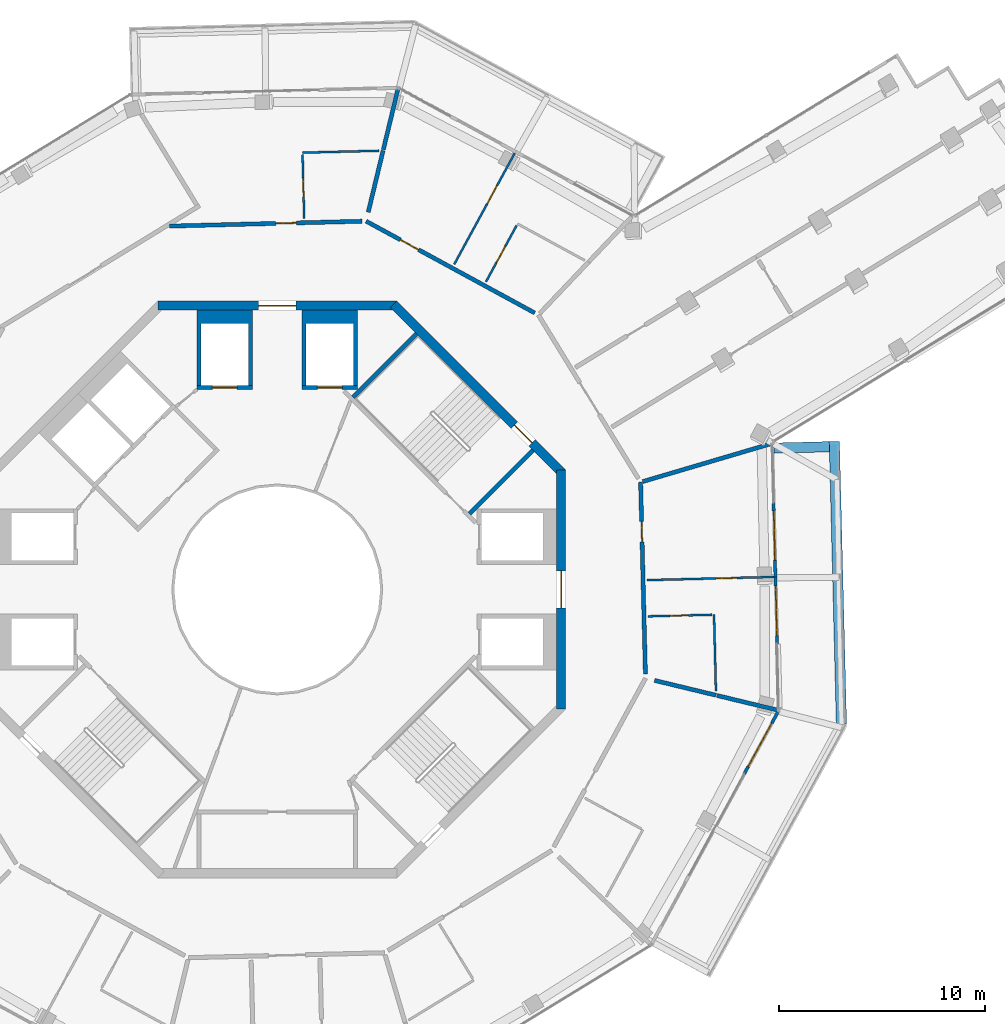
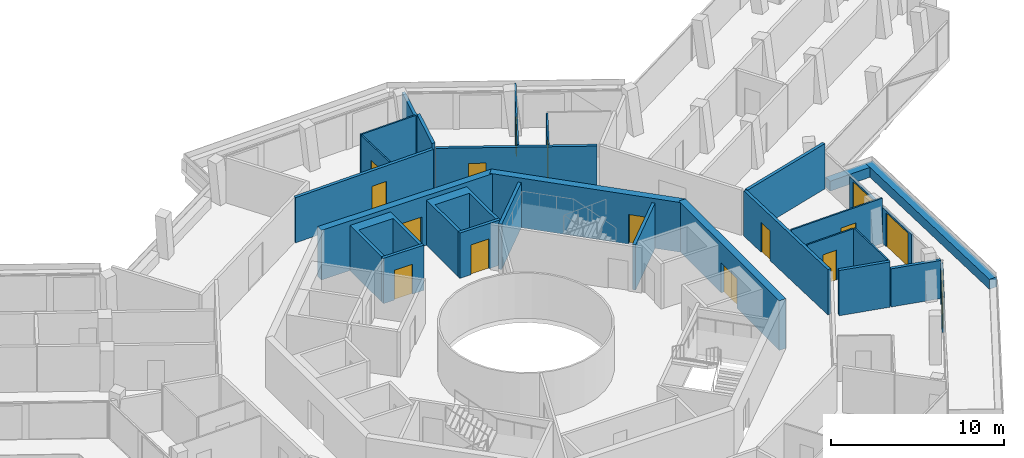
# One storey, part 22 of 26: 29 walls, 16 doors, 16 openings.
"""IFC4 building model written with IfcOpenShell, lengths in metres."""

from ifc_helpers import new_model, si_unit, direction, frame, frame_2d, origin, place, context, subcontext, project, spatial, polyline, rectangle, outline, extrude, material, layer, layer_set, type_object, element, fill, save


model = new_model("IFC4")

# Units and contexts
model_context = context("Model", 3, precision=1e-05, world=origin(), true_north=direction((0.0, 1.0)))
body_context = subcontext(model_context, "Body", "Model", "MODEL_VIEW")
ifc_project = project(units=[si_unit("LENGTHUNIT", "METRE"), si_unit("AREAUNIT", "SQUARE_METRE"), si_unit("VOLUMEUNIT", "CUBIC_METRE"), si_unit("PLANEANGLEUNIT", "RADIAN"), si_unit("MASSUNIT", "GRAM", prefix="KILO")], contexts=[model_context])

# Site, building, storey
site_placement = place(None, origin())
site = spatial("IfcSite", under=ifc_project, at=site_placement, CompositionType="ELEMENT")
building_placement = place(site_placement, origin())
building = spatial("IfcBuilding", under=site, at=building_placement, Name="Verdalira Terraces Hotel", CompositionType="ELEMENT")
storey_placement = place(building_placement, frame((0.0, 0.0, 284.5)))
storey = spatial("IfcBuildingStorey", under=building, at=storey_placement, Name="L70", CompositionType="ELEMENT", Elevation=284.5)

# Walls
ifc_material_1 = material(Name="Concrete C40", Category="concrete")
ifc_layer_1 = layer(ifc_material_1, 0.5)
ifc_layer_set_1 = layer_set([ifc_layer_1], Name="Balcony planter trough with tree")
wall_type_1 = type_object("IfcWallType", Name="Balcony planter trough with tree", PredefinedType="SOLIDWALL", material=ifc_layer_set_1)
wall_1_placement = place(storey_placement, frame((27.381348, -6.537354, 0.0), z_axis=(0.0, 0.0, 1.0), x_axis=(-0.025137535, 0.999684002, 0.0)))
element("IfcWall", 1, at=wall_1_placement, inside=storey, type_object=wall_type_1, Name="Balcony planter", PredefinedType="SOLIDWALL", context=body_context, shape_type="SweptSolid", body=[
    extrude(rectangle(XDim=13.723389, YDim=0.5, at=frame_2d((6.861816, 0.0))), origin(), (0.0, 0.0, 1.0), 0.699951),
])
wall_2_placement = place(storey_placement, frame((26.792725, 6.925537, 0.0), z_axis=(0.0, 0.0, 1.0), x_axis=(-0.999683736, -0.025148138, 0.0)))
element("IfcWall", 2, at=wall_2_placement, inside=storey, type_object=wall_type_1, Name="Balcony planter", PredefinedType="SOLIDWALL", context=body_context, shape_type="SweptSolid", body=[
    extrude(rectangle(XDim=2.69873, YDim=0.5, at=frame_2d((1.349365, 0.0))), origin(), (0.0, 0.0, 1.0), 0.699951),
])

# Wall, opening, door
ifc_material_2 = material(Name="Moisture-resistant gypsum board partition")
ifc_layer_2 = layer(ifc_material_2, 0.10009765625)
ifc_layer_set_2 = layer_set([ifc_layer_2], Name="Bathroom partition 100 mm")
wall_type_2 = type_object("IfcWallType", Name="Bathroom partition 100 mm", PredefinedType="PARTITIONING", material=ifc_layer_set_2)
wall_3_placement = place(storey_placement, frame((1.228516, 21.095947, 0.0), z_axis=(0.0, 0.0, 1.0), x_axis=(0.025122051, -0.999684391, 0.0)))
wall_3 = element("IfcWall", 3, at=wall_3_placement, inside=storey, type_object=wall_type_2, Name="Bathroom partition", PredefinedType="PARTITIONING", context=body_context, shape_type="SweptSolid", body=[
    extrude(rectangle(XDim=3.100098, YDim=0.100098, at=frame_2d((1.550049, 0.0))), origin(), (0.0, 0.0, 1.0), 3.189941),
])
opening_1_placement = place(wall_3_placement, frame((1.149902, 0.0, 0.0)))
opening_1 = element("IfcOpeningElement", 4, at=opening_1_placement, cuts=wall_3, Name="Opening L70-132", PredefinedType="OPENING", context=body_context, shape_type="SweptSolid", body=[
    extrude(rectangle(XDim=0.899902, YDim=2.100098, at=frame_2d((0.449951, 1.050049))), frame((0.0, 0.060059, 0.0), z_axis=(0.0, -1.0, 0.0), x_axis=(1.0, 0.0, 0.0)), (0.0, 0.0, 1.0), 0.120117),
])
ifc_material_3 = material(Name="Timber door", Category="wood")
door_type_1 = type_object("IfcDoorType", Name="Bathroom door 900 x 2100", OperationType="NOTDEFINED", PredefinedType="DOOR", material=ifc_material_3)
door_1_placement = place(opening_1_placement, origin())
door_1 = element("IfcDoor", 5, at=door_1_placement, inside=storey, type_object=door_type_1, Name="Bathroom door 7011", OperationType="SINGLE_SWING_LEFT", OverallHeight=2.10009765625, OverallWidth=0.89990234375, PredefinedType="DOOR", context=body_context, shape_type="SweptSolid", body=[
    extrude(rectangle(XDim=0.899902, YDim=2.100098, at=frame_2d((0.449951, 1.050049))), frame((0.0, 0.024902, 0.0), z_axis=(0.0, -1.0, 0.0), x_axis=(1.0, 0.0, 0.0)), (0.0, 0.0, 1.0), 0.050049),
])
fill(opening_1, door_1)

# Wall
wall_4_placement = place(storey_placement, frame((1.226074, 21.195801, 0.0), z_axis=(0.0, 0.0, 1.0), x_axis=(0.999684634, 0.025112405, 0.0)))
element("IfcWall", 6, at=wall_4_placement, inside=storey, type_object=wall_type_2, Name="Bathroom partition", PredefinedType="PARTITIONING", context=body_context, shape_type="SweptSolid", body=[
    extrude(rectangle(XDim=3.704102, YDim=0.100098, at=frame_2d((1.852051, 0.0))), origin(), (0.0, 0.0, 1.0), 3.189941),
])

# Wall, opening, door
wall_5_placement = place(storey_placement, frame((11.525635, 21.174805, 0.0), z_axis=(0.0, 0.0, 1.0), x_axis=(-0.478081504, -0.878315476, 0.0)))
wall_5 = element("IfcWall", 7, at=wall_5_placement, inside=storey, type_object=wall_type_2, Name="Bathroom partition", PredefinedType="PARTITIONING", context=body_context, shape_type="SweptSolid", body=[
    extrude(rectangle(XDim=6.149902, YDim=0.100098, at=frame_2d((3.074951, 0.0))), origin(), (0.0, 0.0, 1.0), 3.189941),
])
opening_2_placement = place(wall_5_placement, frame((1.800049, 0.0, 0.0)))
opening_2 = element("IfcOpeningElement", 8, at=opening_2_placement, cuts=wall_5, Name="Opening L70-129", PredefinedType="OPENING", context=body_context, shape_type="SweptSolid", body=[
    extrude(rectangle(XDim=1.0, YDim=2.100098, at=frame_2d((0.5, 1.050049))), frame((0.0, 0.060059, 0.0), z_axis=(0.0, -1.0, 0.0), x_axis=(1.0, 0.0, 0.0)), (0.0, 0.0, 1.0), 0.120117),
])
ifc_material_4 = material(Name="Timber door", Category="wood")
door_type_2 = type_object("IfcDoorType", Name="Suite internal door 1000 x 2100", OperationType="NOTDEFINED", PredefinedType="DOOR", material=ifc_material_4)
door_2_placement = place(opening_2_placement, origin())
door_2 = element("IfcDoor", 9, at=door_2_placement, inside=storey, type_object=door_type_2, Name="Suite internal door 7010", OperationType="SINGLE_SWING_LEFT", OverallHeight=2.10009765625, OverallWidth=1.0, PredefinedType="DOOR", context=body_context, shape_type="SweptSolid", body=[
    extrude(rectangle(XDim=1.0, YDim=2.100098, at=frame_2d((0.5, 1.050049))), frame((0.0, 0.024902, 0.0), z_axis=(0.0, -1.0, 0.0), x_axis=(1.0, 0.0, 0.0)), (0.0, 0.0, 1.0), 0.050049),
])
fill(opening_2, door_2)

wall_6_placement = place(storey_placement, frame((11.611816, 17.655273, 0.0), z_axis=(0.0, 0.0, 1.0), x_axis=(-0.478068361, -0.87832263, 0.0)))
wall_6 = element("IfcWall", 10, at=wall_6_placement, inside=storey, type_object=wall_type_2, Name="Bathroom partition", PredefinedType="PARTITIONING", context=body_context, shape_type="SweptSolid", body=[
    extrude(rectangle(XDim=3.099854, YDim=0.100098, at=frame_2d((1.549805, 0.0))), origin(), (0.0, 0.0, 1.0), 3.189941),
])
opening_3_placement = place(wall_6_placement, frame((1.149902, 0.0, 0.0)))
opening_3 = element("IfcOpeningElement", 11, at=opening_3_placement, cuts=wall_6, Name="Opening L70-130", PredefinedType="OPENING", context=body_context, shape_type="SweptSolid", body=[
    extrude(rectangle(XDim=0.899902, YDim=2.100098, at=frame_2d((0.449951, 1.050049))), frame((0.0, 0.060059, 0.0), z_axis=(0.0, -1.0, 0.0), x_axis=(1.0, 0.0, 0.0)), (0.0, 0.0, 1.0), 0.120117),
])
door_3_placement = place(opening_3_placement, origin())
door_3 = element("IfcDoor", 12, at=door_3_placement, inside=storey, type_object=door_type_1, Name="Bathroom door 7010", OperationType="SINGLE_SWING_LEFT", OverallHeight=2.10009765625, OverallWidth=0.89990234375, PredefinedType="DOOR", context=body_context, shape_type="SweptSolid", body=[
    extrude(rectangle(XDim=0.899902, YDim=2.100098, at=frame_2d((0.449951, 1.050049))), frame((0.0, 0.024902, 0.0), z_axis=(0.0, -1.0, 0.0), x_axis=(1.0, 0.0, 0.0)), (0.0, 0.0, 1.0), 0.050049),
])
fill(opening_3, door_3)

wall_7_placement = place(storey_placement, frame((21.095947, -1.228516, 0.0), z_axis=(0.0, 0.0, 1.0), x_axis=(-0.999684391, -0.025122051, 0.0)))
wall_7 = element("IfcWall", 13, at=wall_7_placement, inside=storey, type_object=wall_type_2, Name="Bathroom partition", PredefinedType="PARTITIONING", context=body_context, shape_type="SweptSolid", body=[
    extrude(rectangle(XDim=3.100098, YDim=0.100098, at=frame_2d((1.550049, 0.0))), origin(), (0.0, 0.0, 1.0), 3.189941),
])
opening_4_placement = place(wall_7_placement, frame((1.149902, 0.0, 0.0)))
opening_4 = element("IfcOpeningElement", 14, at=opening_4_placement, cuts=wall_7, Name="Opening L70-123", PredefinedType="OPENING", context=body_context, shape_type="SweptSolid", body=[
    extrude(rectangle(XDim=0.899902, YDim=2.100098, at=frame_2d((0.449951, 1.050049))), frame((0.0, 0.060059, 0.0), z_axis=(0.0, -1.0, 0.0), x_axis=(1.0, 0.0, 0.0)), (0.0, 0.0, 1.0), 0.120117),
])
door_4_placement = place(opening_4_placement, origin())
door_4 = element("IfcDoor", 15, at=door_4_placement, inside=storey, type_object=door_type_1, Name="Bathroom door 7008", OperationType="SINGLE_SWING_LEFT", OverallHeight=2.10009765625, OverallWidth=0.89990234375, PredefinedType="DOOR", context=body_context, shape_type="SweptSolid", body=[
    extrude(rectangle(XDim=0.899902, YDim=2.100098, at=frame_2d((0.449951, 1.050049))), frame((0.0, 0.024902, 0.0), z_axis=(0.0, -1.0, 0.0), x_axis=(1.0, 0.0, 0.0)), (0.0, 0.0, 1.0), 0.050049),
])
fill(opening_4, door_4)

wall_8_placement = place(storey_placement, frame((24.100586, 0.605713, 0.0), z_axis=(0.0, 0.0, 1.0), x_axis=(-0.999685212, -0.025089391, 0.0)))
wall_8 = element("IfcWall", 16, at=wall_8_placement, inside=storey, type_object=wall_type_2, Name="Bathroom partition", PredefinedType="PARTITIONING", context=body_context, shape_type="SweptSolid", body=[
    extrude(rectangle(XDim=6.149902, YDim=0.100098, at=frame_2d((3.074951, 0.0))), origin(), (0.0, 0.0, 1.0), 3.189941),
])
opening_5_placement = place(wall_8_placement, frame((1.800049, 0.0, 0.0)))
opening_5 = element("IfcOpeningElement", 17, at=opening_5_placement, cuts=wall_8, Name="Opening L70-122", PredefinedType="OPENING", context=body_context, shape_type="SweptSolid", body=[
    extrude(rectangle(XDim=1.0, YDim=2.100098, at=frame_2d((0.5, 1.050049))), frame((0.0, 0.060059, 0.0), z_axis=(0.0, -1.0, 0.0), x_axis=(1.0, 0.0, 0.0)), (0.0, 0.0, 1.0), 0.120117),
])
door_5_placement = place(opening_5_placement, origin())
door_5 = element("IfcDoor", 18, at=door_5_placement, inside=storey, type_object=door_type_2, Name="Suite internal door 7008", OperationType="SINGLE_SWING_LEFT", OverallHeight=2.10009765625, OverallWidth=1.0, PredefinedType="DOOR", context=body_context, shape_type="SweptSolid", body=[
    extrude(rectangle(XDim=1.0, YDim=2.100098, at=frame_2d((0.5, 1.050049))), frame((0.0, 0.024902, 0.0), z_axis=(0.0, -1.0, 0.0), x_axis=(1.0, 0.0, 0.0)), (0.0, 0.0, 1.0), 0.050049),
])
fill(opening_5, door_5)

# Walls
wall_9_placement = place(storey_placement, frame((21.288818, -4.928955, 0.0), z_axis=(0.0, 0.0, 1.0), x_axis=(-0.025112405, 0.999684634, 0.0)))
element("IfcWall", 19, at=wall_9_placement, inside=storey, type_object=wall_type_2, Name="Bathroom partition", PredefinedType="PARTITIONING", context=body_context, shape_type="SweptSolid", body=[
    extrude(rectangle(XDim=3.704102, YDim=0.100098, at=frame_2d((1.852051, 0.0))), origin(), (0.0, 0.0, 1.0), 3.189941),
])
ifc_material_5 = material(Name="Concrete C50", Category="concrete")
ifc_layer_3 = layer(ifc_material_5, 0.199951171875)
ifc_layer_set_3 = layer_set([ifc_layer_3], Name="Core RC wall 200 C50")
wall_type_3 = type_object("IfcWallType", Name="Core RC wall 200 C50", PredefinedType="SOLIDWALL", material=ifc_layer_set_3)
wall_10_placement = place(storey_placement, origin())
element("IfcWall", 20, at=wall_10_placement, inside=storey, type_object=wall_type_3, Name="L70 shaft wall N1", PredefinedType="SOLIDWALL", context=body_context, shape_type="SweptSolid", body=[
    extrude(outline(polyline([(3.899902, 9.899902), (3.699951, 9.899902), (3.699951, 12.899902), (1.399902, 12.899902), (1.399902, 9.899902), (1.199951, 9.899902), (1.199951, 13.550049), (3.899902, 13.550049), (3.899902, 9.899902)])), origin(), (0.0, 0.0, 1.0), 3.189941),
])

# Wall, opening, door
wall_11_placement = place(storey_placement, frame((1.199951, 9.800049, 0.0), z_axis=(0.0, 0.0, 1.0), x_axis=(1.0, 0.0, 0.0)))
wall_11 = element("IfcWall", 21, at=wall_11_placement, inside=storey, type_object=wall_type_3, Name="L70 shaft front wall N1", PredefinedType="SOLIDWALL", context=body_context, shape_type="SweptSolid", body=[
    extrude(rectangle(XDim=2.699951, YDim=0.199951, at=frame_2d((1.350098, 0.0))), origin(), (0.0, 0.0, 1.0), 3.189941),
])
opening_6_placement = place(wall_11_placement, frame((0.75, 0.0, 0.0)))
opening_6 = element("IfcOpeningElement", 22, at=opening_6_placement, cuts=wall_11, Name="Opening LD-L70-804", PredefinedType="OPENING", context=body_context, shape_type="SweptSolid", body=[
    extrude(rectangle(XDim=1.199951, YDim=2.100098, at=frame_2d((0.600098, 1.050049))), frame((0.0, 0.109863, 0.0), z_axis=(0.0, -1.0, 0.0), x_axis=(1.0, 0.0, 0.0)), (0.0, 0.0, 1.0), 0.219971),
])
ifc_material_6 = material(Name="Stainless steel", Category="steel")
door_type_3 = type_object("IfcDoorType", Name="Landing door 1200 x 2100", OperationType="NOTDEFINED", PredefinedType="DOOR", material=ifc_material_6)
door_6_placement = place(opening_6_placement, origin())
door_6 = element("IfcDoor", 23, at=door_6_placement, inside=storey, type_object=door_type_3, Name="Lift landing door HR3 L70", OperationType="DOUBLE_DOOR_SLIDING", OverallHeight=2.10009765625, OverallWidth=1.199951171875, PredefinedType="DOOR", context=body_context, shape_type="SweptSolid", body=[
    extrude(rectangle(XDim=1.199951, YDim=2.100098, at=frame_2d((0.600098, 1.050049))), frame((0.0, 0.024902, 0.0), z_axis=(0.0, -1.0, 0.0), x_axis=(1.0, 0.0, 0.0)), (0.0, 0.0, 1.0), 0.050049),
])
fill(opening_6, door_6)

# Wall
wall_12_placement = place(storey_placement, origin())
element("IfcWall", 24, at=wall_12_placement, inside=storey, type_object=wall_type_3, Name="L70 shaft wall N2", PredefinedType="SOLIDWALL", context=body_context, shape_type="SweptSolid", body=[
    extrude(outline(polyline([(-3.899902, 13.550049), (-1.199951, 13.550049), (-1.199951, 9.899902), (-1.399902, 9.899902), (-1.399902, 12.899902), (-3.699951, 12.899902), (-3.699951, 9.899902), (-3.899902, 9.899902), (-3.899902, 13.550049)])), origin(), (0.0, 0.0, 1.0), 3.189941),
])

# Wall, opening, door
wall_13_placement = place(storey_placement, frame((-1.199951, 9.800049, 0.0), z_axis=(0.0, 0.0, 1.0), x_axis=(-1.0, 0.0, 0.0)))
wall_13 = element("IfcWall", 25, at=wall_13_placement, inside=storey, type_object=wall_type_3, Name="L70 shaft front wall N2", PredefinedType="SOLIDWALL", context=body_context, shape_type="SweptSolid", body=[
    extrude(rectangle(XDim=2.699951, YDim=0.199951, at=frame_2d((1.350098, 0.0))), origin(), (0.0, 0.0, 1.0), 3.189941),
])
opening_7_placement = place(wall_13_placement, frame((0.75, 0.0, 0.0)))
opening_7 = element("IfcOpeningElement", 26, at=opening_7_placement, cuts=wall_13, Name="Opening LD-L70-805", PredefinedType="OPENING", context=body_context, shape_type="SweptSolid", body=[
    extrude(rectangle(XDim=1.199951, YDim=2.100098, at=frame_2d((0.600098, 1.050049))), frame((0.0, 0.109863, 0.0), z_axis=(0.0, -1.0, 0.0), x_axis=(1.0, 0.0, 0.0)), (0.0, 0.0, 1.0), 0.219971),
])
door_7_placement = place(opening_7_placement, origin())
door_7 = element("IfcDoor", 27, at=door_7_placement, inside=storey, type_object=door_type_3, Name="Lift landing door HR4 L70", OperationType="DOUBLE_DOOR_SLIDING", OverallHeight=2.10009765625, OverallWidth=1.199951171875, PredefinedType="DOOR", context=body_context, shape_type="SweptSolid", body=[
    extrude(rectangle(XDim=1.199951, YDim=2.100098, at=frame_2d((0.600098, 1.050049))), frame((0.0, 0.024902, 0.0), z_axis=(0.0, -1.0, 0.0), x_axis=(1.0, 0.0, 0.0)), (0.0, 0.0, 1.0), 0.050049),
])
fill(opening_7, door_7)

# Walls
for number, where, z_axis, x_axis, name in (
    (28, (9.33374, 3.677002, 0.0), (0.0, 0.0, 1.0), (0.707106781, 0.707106781, 0.0), "L70 stair ST1 end wall 1"),
    (29, (3.677002, 9.33374, 0.0), (0.0, 0.0, 1.0), (0.707106781, 0.707106781, 0.0), "L70 stair ST1 end wall 2"),
):
    element("IfcWall", number, at=place(storey_placement, frame(where, z_axis=z_axis, x_axis=x_axis)), inside=storey, type_object=wall_type_3, Name=name, PredefinedType="SOLIDWALL", context=body_context, shape_type="SweptSolid", body=[
        extrude(rectangle(XDim=4.350098, YDim=0.199951, at=frame_2d((2.175049, 0.0))), origin(), (0.0, 0.0, 1.0), 3.189941),
    ])

# Wall, opening, door
ifc_material_7 = material(Name="Concrete C50", Category="concrete")
ifc_layer_4 = layer(ifc_material_7, 0.449951171875)
ifc_layer_set_4 = layer_set([ifc_layer_4], Name="Core wall 450 C50")
wall_type_4 = type_object("IfcWallType", Name="Core wall 450 C50", PredefinedType="SHEAR", material=ifc_layer_set_4)
wall_14_placement = place(storey_placement, frame((13.774902, -5.799072, 0.0), z_axis=(0.0, 0.0, 1.0), x_axis=(0.0, 1.0, 0.0)))
wall_14 = element("IfcWall", 30, at=wall_14_placement, inside=storey, type_object=wall_type_4, Name="Core wall CW-L70-1", PredefinedType="SHEAR", context=body_context, shape_type="SweptSolid", body=[
    extrude(rectangle(XDim=11.598145, YDim=0.449951, at=frame_2d((5.799072, 0.0))), origin(), (0.0, 0.0, 1.0), 3.5),
])
opening_8_placement = place(wall_14_placement, frame((4.898926, 0.0, 0.0)))
opening_8 = element("IfcOpeningElement", 31, at=opening_8_placement, cuts=wall_14, Name="Opening L70-813", PredefinedType="OPENING", context=body_context, shape_type="SweptSolid", body=[
    extrude(rectangle(XDim=1.800049, YDim=2.100098, at=frame_2d((0.899902, 1.050049))), frame((0.0, 0.234863, 0.0), z_axis=(0.0, -1.0, 0.0), x_axis=(1.0, 0.0, 0.0)), (0.0, 0.0, 1.0), 0.469971),
])
ifc_material_8 = material(Name="Steel fire door", Category="steel")
door_type_4 = type_object("IfcDoorType", Name="Core entry door pair 1800 x 2100", OperationType="NOTDEFINED", PredefinedType="DOOR", material=ifc_material_8)
door_8_placement = place(opening_8_placement, origin())
door_8 = element("IfcDoor", 32, at=door_8_placement, inside=storey, type_object=door_type_4, Name="Core entry door L70 0", OperationType="DOUBLE_DOOR_SINGLE_SWING", OverallHeight=2.10009765625, OverallWidth=1.800048828125, PredefinedType="DOOR", context=body_context, shape_type="SweptSolid", body=[
    extrude(rectangle(XDim=1.800049, YDim=2.100098, at=frame_2d((0.899902, 1.050049))), frame((0.0, 0.024902, 0.0), z_axis=(0.0, -1.0, 0.0), x_axis=(1.0, 0.0, 0.0)), (0.0, 0.0, 1.0), 0.050049),
])
fill(opening_8, door_8)

wall_15_placement = place(storey_placement, frame((13.84082, 5.639893, 0.0), z_axis=(0.0, 0.0, 1.0), x_axis=(-0.707106781, 0.707106781, 0.0)))
wall_15 = element("IfcWall", 33, at=wall_15_placement, inside=storey, type_object=wall_type_4, Name="Core wall CW-L70-2", PredefinedType="SHEAR", context=body_context, shape_type="SweptSolid", body=[
    extrude(rectangle(XDim=11.5979, YDim=0.449951, at=frame_2d((5.798828, 0.0))), origin(), (0.0, 0.0, 1.0), 3.5),
])
opening_9_placement = place(wall_15_placement, frame((2.099121, 0.0, 0.0)))
opening_9 = element("IfcOpeningElement", 34, at=opening_9_placement, cuts=wall_15, Name="Opening L70-816", PredefinedType="OPENING", context=body_context, shape_type="SweptSolid", body=[
    extrude(rectangle(XDim=1.199951, YDim=2.100098, at=frame_2d((0.600098, 1.050049))), frame((0.0, 0.234863, 0.0), z_axis=(0.0, -1.0, 0.0), x_axis=(1.0, 0.0, 0.0)), (0.0, 0.0, 1.0), 0.469971),
])
ifc_material_9 = material(Name="Steel fire door", Category="steel")
door_type_5 = type_object("IfcDoorType", Name="Stair door 1200 x 2100", OperationType="NOTDEFINED", PredefinedType="DOOR", material=ifc_material_9)
door_9_placement = place(opening_9_placement, origin())
door_9 = element("IfcDoor", 35, at=door_9_placement, inside=storey, type_object=door_type_5, Name="Stair exit door ST1 L70", OperationType="SINGLE_SWING_LEFT", OverallHeight=2.10009765625, OverallWidth=1.199951171875, PredefinedType="DOOR", context=body_context, shape_type="SweptSolid", body=[
    extrude(rectangle(XDim=1.199951, YDim=2.100098, at=frame_2d((0.600098, 1.050049))), frame((0.0, 0.024902, 0.0), z_axis=(0.0, -1.0, 0.0), x_axis=(1.0, 0.0, 0.0)), (0.0, 0.0, 1.0), 0.050049),
])
fill(opening_9, door_9)

wall_16_placement = place(storey_placement, frame((5.799072, 13.774902, 0.0), z_axis=(0.0, 0.0, 1.0), x_axis=(-1.0, 0.0, 0.0)))
wall_16 = element("IfcWall", 36, at=wall_16_placement, inside=storey, type_object=wall_type_4, Name="Core wall CW-L70-3", PredefinedType="SHEAR", context=body_context, shape_type="SweptSolid", body=[
    extrude(rectangle(XDim=11.598145, YDim=0.449951, at=frame_2d((5.799072, 0.0))), origin(), (0.0, 0.0, 1.0), 3.5),
])
opening_10_placement = place(wall_16_placement, frame((4.898926, 0.0, 0.0)))
opening_10 = element("IfcOpeningElement", 37, at=opening_10_placement, cuts=wall_16, Name="Opening L70-814", PredefinedType="OPENING", context=body_context, shape_type="SweptSolid", body=[
    extrude(rectangle(XDim=1.800049, YDim=2.100098, at=frame_2d((0.899902, 1.050049))), frame((0.0, 0.234863, 0.0), z_axis=(0.0, -1.0, 0.0), x_axis=(1.0, 0.0, 0.0)), (0.0, 0.0, 1.0), 0.469971),
])
door_10_placement = place(opening_10_placement, origin())
door_10 = element("IfcDoor", 38, at=door_10_placement, inside=storey, type_object=door_type_4, Name="Core entry door L70 2", OperationType="DOUBLE_DOOR_SINGLE_SWING", OverallHeight=2.10009765625, OverallWidth=1.800048828125, PredefinedType="DOOR", context=body_context, shape_type="SweptSolid", body=[
    extrude(rectangle(XDim=1.800049, YDim=2.100098, at=frame_2d((0.899902, 1.050049))), frame((0.0, 0.024902, 0.0), z_axis=(0.0, -1.0, 0.0), x_axis=(1.0, 0.0, 0.0)), (0.0, 0.0, 1.0), 0.050049),
])
fill(opening_10, door_10)

# Walls
ifc_material_10 = material(Name="Fire-rated gypsum board wall")
ifc_layer_5 = layer(ifc_material_10, 0.199951171875)
ifc_layer_set_5 = layer_set([ifc_layer_5], Name="Demising wall 200 mm")
wall_type_5 = type_object("IfcWallType", Name="Demising wall 200 mm", PredefinedType="SOLIDWALL", material=ifc_layer_set_5)
wall_17_placement = place(storey_placement, frame((4.415283, 18.306885, 0.0), z_axis=(0.0, 0.0, 1.0), x_axis=(0.234456847, 0.972126528, 0.0)))
element("IfcWall", 39, at=wall_17_placement, inside=storey, type_object=wall_type_5, Name="Demising wall", PredefinedType="SOLIDWALL", context=body_context, shape_type="SweptSolid", body=[
    extrude(rectangle(XDim=3.074951, YDim=0.199951, at=frame_2d((1.537598, 0.0))), origin(), (0.0, 0.0, 1.0), 3.189941),
])
wall_18_placement = place(storey_placement, frame((18.307129, -4.415283, 0.0), z_axis=(0.0, 0.0, 1.0), x_axis=(0.972122163, -0.234474945, 0.0)))
element("IfcWall", 40, at=wall_18_placement, inside=storey, type_object=wall_type_5, Name="Demising wall", PredefinedType="SOLIDWALL", context=body_context, shape_type="SweptSolid", body=[
    extrude(rectangle(XDim=3.074707, YDim=0.199951, at=frame_2d((1.537354, 0.0))), origin(), (0.0, 0.0, 1.0), 3.189941),
])
wall_19_placement = place(storey_placement, frame((23.943604, 7.065186, 0.0), z_axis=(0.0, 0.0, 1.0), x_axis=(-0.9591166, -0.283011215, 0.0)))
element("IfcWall", 41, at=wall_19_placement, inside=storey, type_object=wall_type_5, Name="Demising wall", PredefinedType="SOLIDWALL", context=body_context, shape_type="SweptSolid", body=[
    extrude(rectangle(XDim=6.47583, YDim=0.199951, at=frame_2d((3.237793, 0.0))), origin(), (0.0, 0.0, 1.0), 3.189941),
])
ifc_material_11 = material(Name="Fire-rated gypsum board wall")
ifc_layer_6 = layer(ifc_material_11, 0.199951171875)
ifc_layer_set_6 = layer_set([ifc_layer_6], Name="Demising wall 200 mm to beam soffit")
wall_type_6 = type_object("IfcWallType", Name="Demising wall 200 mm to beam soffit", PredefinedType="SOLIDWALL", material=ifc_layer_set_6)
wall_20_placement = place(storey_placement, frame((5.147217, 21.34082, 0.0), z_axis=(0.0, 0.0, 1.0), x_axis=(0.234458255, 0.972126189, 0.0)))
element("IfcWall", 42, at=wall_20_placement, inside=storey, type_object=wall_type_6, Name="Demising wall", PredefinedType="SOLIDWALL", context=body_context, shape_type="SweptSolid", body=[
    extrude(rectangle(XDim=3.011475, YDim=0.199951, at=frame_2d((1.505859, 0.0))), origin(), (0.0, 0.0, 1.0), 2.689941),
])
wall_21_placement = place(storey_placement, frame((21.34082, -5.147217, 0.0), z_axis=(0.0, 0.0, 1.0), x_axis=(0.972121732, -0.234476735, 0.0)))
element("IfcWall", 43, at=wall_21_placement, inside=storey, type_object=wall_type_6, Name="Demising wall", PredefinedType="SOLIDWALL", context=body_context, shape_type="SweptSolid", body=[
    extrude(rectangle(XDim=3.01123, YDim=0.199951, at=frame_2d((1.505615, 0.0))), origin(), (0.0, 0.0, 1.0), 2.689941),
])

# Wall, opening, door
ifc_material_12 = material(Name="Fire-rated gypsum board wall")
ifc_layer_7 = layer(ifc_material_12, 0.199951171875)
ifc_layer_set_7 = layer_set([ifc_layer_7], Name="Guest corridor wall 200 mm")
wall_type_7 = type_object("IfcWallType", Name="Guest corridor wall 200 mm", PredefinedType="SOLIDWALL", material=ifc_layer_set_7)
wall_22_placement = place(storey_placement, frame((-5.223145, 17.632568, 0.0), z_axis=(0.0, 0.0, 1.0), x_axis=(0.999684224, 0.025128732, 0.0)))
wall_22 = element("IfcWall", 44, at=wall_22_placement, inside=storey, type_object=wall_type_7, Name="Guest corridor wall", PredefinedType="SOLIDWALL", context=body_context, shape_type="SweptSolid", body=[
    extrude(rectangle(XDim=9.33667, YDim=0.199951, at=frame_2d((4.668457, 0.0))), origin(), (0.0, 0.0, 1.0), 3.189941),
])
opening_11_placement = place(wall_22_placement, frame((5.149902, 0.0, 0.0)))
opening_11 = element("IfcOpeningElement", 45, at=opening_11_placement, cuts=wall_22, Name="Opening L70-131", PredefinedType="OPENING", context=body_context, shape_type="SweptSolid", body=[
    extrude(rectangle(XDim=1.0, YDim=2.100098, at=frame_2d((0.5, 1.050049))), frame((0.0, 0.109863, 0.0), z_axis=(0.0, -1.0, 0.0), x_axis=(1.0, 0.0, 0.0)), (0.0, 0.0, 1.0), 0.219971),
])
ifc_material_13 = material(Name="Timber fire door", Category="wood")
door_type_6 = type_object("IfcDoorType", Name="Guest entry door 1000 x 2100", OperationType="NOTDEFINED", PredefinedType="DOOR", material=ifc_material_13)
door_11_placement = place(opening_11_placement, origin())
door_11 = element("IfcDoor", 46, at=door_11_placement, inside=storey, type_object=door_type_6, Name="Guest entry door 7011", OperationType="SINGLE_SWING_LEFT", OverallHeight=2.10009765625, OverallWidth=1.0, PredefinedType="DOOR", context=body_context, shape_type="SweptSolid", body=[
    extrude(rectangle(XDim=1.0, YDim=2.100098, at=frame_2d((0.5, 1.050049))), frame((0.0, 0.024902, 0.0), z_axis=(0.0, -1.0, 0.0), x_axis=(1.0, 0.0, 0.0)), (0.0, 0.0, 1.0), 0.050049),
])
fill(opening_11, door_11)

wall_23_placement = place(storey_placement, frame((4.310547, 17.872314, 0.0), z_axis=(0.0, 0.0, 1.0), x_axis=(0.87831385, -0.478084491, 0.0)))
wall_23 = element("IfcWall", 47, at=wall_23_placement, inside=storey, type_object=wall_type_7, Name="Guest corridor wall", PredefinedType="SOLIDWALL", context=body_context, shape_type="SweptSolid", body=[
    extrude(rectangle(XDim=9.31665, YDim=0.199951, at=frame_2d((4.658203, 0.0))), origin(), (0.0, 0.0, 1.0), 3.189941),
])
opening_12_placement = place(wall_23_placement, frame((1.899902, 0.0, 0.0)))
opening_12 = element("IfcOpeningElement", 48, at=opening_12_placement, cuts=wall_23, Name="Opening L70-128", PredefinedType="OPENING", context=body_context, shape_type="SweptSolid", body=[
    extrude(rectangle(XDim=1.0, YDim=2.100098, at=frame_2d((0.5, 1.050049))), frame((0.0, 0.109863, 0.0), z_axis=(0.0, -1.0, 0.0), x_axis=(1.0, 0.0, 0.0)), (0.0, 0.0, 1.0), 0.219971),
])
door_12_placement = place(opening_12_placement, origin())
door_12 = element("IfcDoor", 49, at=door_12_placement, inside=storey, type_object=door_type_6, Name="Guest entry door 7010", OperationType="SINGLE_SWING_LEFT", OverallHeight=2.10009765625, OverallWidth=1.0, PredefinedType="DOOR", context=body_context, shape_type="SweptSolid", body=[
    extrude(rectangle(XDim=1.0, YDim=2.100098, at=frame_2d((0.5, 1.050049))), frame((0.0, 0.024902, 0.0), z_axis=(0.0, -1.0, 0.0), x_axis=(1.0, 0.0, 0.0)), (0.0, 0.0, 1.0), 0.050049),
])
fill(opening_12, door_12)

wall_24_placement = place(storey_placement, frame((17.633057, 5.203125, 0.0), z_axis=(0.0, 0.0, 1.0), x_axis=(0.025130335, -0.999684183, 0.0)))
wall_24 = element("IfcWall", 50, at=wall_24_placement, inside=storey, type_object=wall_type_7, Name="Guest corridor wall", PredefinedType="SOLIDWALL", context=body_context, shape_type="SweptSolid", body=[
    extrude(rectangle(XDim=9.31665, YDim=0.199951, at=frame_2d((4.658203, 0.0))), origin(), (0.0, 0.0, 1.0), 3.189941),
])
opening_13_placement = place(wall_24_placement, frame((1.899902, 0.0, 0.0)))
opening_13 = element("IfcOpeningElement", 51, at=opening_13_placement, cuts=wall_24, Name="Opening L70-121", PredefinedType="OPENING", context=body_context, shape_type="SweptSolid", body=[
    extrude(rectangle(XDim=1.0, YDim=2.100098, at=frame_2d((0.5, 1.050049))), frame((0.0, 0.109863, 0.0), z_axis=(0.0, -1.0, 0.0), x_axis=(1.0, 0.0, 0.0)), (0.0, 0.0, 1.0), 0.219971),
])
door_13_placement = place(opening_13_placement, origin())
door_13 = element("IfcDoor", 52, at=door_13_placement, inside=storey, type_object=door_type_6, Name="Guest entry door 7008", OperationType="SINGLE_SWING_LEFT", OverallHeight=2.10009765625, OverallWidth=1.0, PredefinedType="DOOR", context=body_context, shape_type="SweptSolid", body=[
    extrude(rectangle(XDim=1.0, YDim=2.100098, at=frame_2d((0.5, 1.050049))), frame((0.0, 0.024902, 0.0), z_axis=(0.0, -1.0, 0.0), x_axis=(1.0, 0.0, 0.0)), (0.0, 0.0, 1.0), 0.050049),
])
fill(opening_13, door_13)

ifc_material_14 = material(Name="Terracotta cladding", Category="masonry")
ifc_layer_8 = layer(ifc_material_14, 0.14990234375)
ifc_layer_set_8 = layer_set([ifc_layer_8], Name="Terracotta door pier 150")
wall_type_8 = type_object("IfcWallType", Name="Terracotta door pier 150", PredefinedType="SOLIDWALL", material=ifc_layer_set_8)
wall_25_placement = place(storey_placement, frame((22.661865, -8.950195, 0.0), z_axis=(0.0, 0.0, 1.0), x_axis=(0.478118196, 0.878295503, 0.0)))
wall_25 = element("IfcWall", 53, at=wall_25_placement, inside=storey, type_object=wall_type_8, Name="Terracotta door pier", PredefinedType="SOLIDWALL", context=body_context, shape_type="SweptSolid", body=[
    extrude(rectangle(XDim=3.426758, YDim=0.149902, at=frame_2d((1.713379, 0.0))), origin(), (0.0, 0.0, 1.0), 2.524902),
])
opening_14_placement = place(wall_25_placement, frame((0.399902, 0.0, 0.0)))
opening_14 = element("IfcOpeningElement", 54, at=opening_14_placement, cuts=wall_25, Name="Opening L70-B12", PredefinedType="OPENING", context=body_context, shape_type="SweptSolid", body=[
    extrude(rectangle(XDim=2.399902, YDim=2.399902, at=frame_2d((1.199951, 1.199951))), frame((0.0, 0.084961, 0.0), z_axis=(0.0, -1.0, 0.0), x_axis=(1.0, 0.0, 0.0)), (0.0, 0.0, 1.0), 0.169922),
])
ifc_material_15 = material(Name="Clear glass", Category="glass")
door_type_7 = type_object("IfcDoorType", Name="Balcony sliding door 2400x2400", OperationType="NOTDEFINED", PredefinedType="DOOR", material=ifc_material_15)
door_14_placement = place(opening_14_placement, origin())
door_14 = element("IfcDoor", 55, at=door_14_placement, inside=storey, type_object=door_type_7, Name="Balcony sliding door", OperationType="SLIDING_TO_RIGHT", OverallHeight=2.39990234375, OverallWidth=2.39990234375, PredefinedType="DOOR", context=body_context, shape_type="SweptSolid", body=[
    extrude(rectangle(XDim=2.399902, YDim=2.399902, at=frame_2d((1.199951, 1.199951))), frame((0.0, 0.024902, 0.0), z_axis=(0.0, -1.0, 0.0), x_axis=(1.0, 0.0, 0.0)), (0.0, 0.0, 1.0), 0.050049),
])
fill(opening_14, door_14)

wall_26_placement = place(storey_placement, frame((24.257324, -2.641357, 0.0), z_axis=(0.0, 0.0, 1.0), x_axis=(-0.025089785, 0.999685202, 0.0)))
wall_26 = element("IfcWall", 56, at=wall_26_placement, inside=storey, type_object=wall_type_8, Name="Terracotta door pier", PredefinedType="SOLIDWALL", context=body_context, shape_type="SweptSolid", body=[
    extrude(rectangle(XDim=3.25, YDim=0.149902, at=frame_2d((1.625, 0.0))), origin(), (0.0, 0.0, 1.0), 2.524902),
])
opening_15_placement = place(wall_26_placement, frame((0.399902, 0.0, 0.0)))
opening_15 = element("IfcOpeningElement", 57, at=opening_15_placement, cuts=wall_26, Name="Opening L70-B13", PredefinedType="OPENING", context=body_context, shape_type="SweptSolid", body=[
    extrude(rectangle(XDim=2.399902, YDim=2.399902, at=frame_2d((1.199951, 1.199951))), frame((0.0, 0.084961, 0.0), z_axis=(0.0, -1.0, 0.0), x_axis=(1.0, 0.0, 0.0)), (0.0, 0.0, 1.0), 0.169922),
])
door_15_placement = place(opening_15_placement, origin())
door_15 = element("IfcDoor", 58, at=door_15_placement, inside=storey, type_object=door_type_7, Name="Balcony sliding door", OperationType="SLIDING_TO_RIGHT", OverallHeight=2.39990234375, OverallWidth=2.39990234375, PredefinedType="DOOR", context=body_context, shape_type="SweptSolid", body=[
    extrude(rectangle(XDim=2.399902, YDim=2.399902, at=frame_2d((1.199951, 1.199951))), frame((0.0, 0.024902, 0.0), z_axis=(0.0, -1.0, 0.0), x_axis=(1.0, 0.0, 0.0)), (0.0, 0.0, 1.0), 0.050049),
])
fill(opening_15, door_15)

wall_27_placement = place(storey_placement, frame((24.175781, 0.607666, 0.0), z_axis=(0.0, 0.0, 1.0), x_axis=(-0.025149276, 0.999683707, 0.0)))
wall_27 = element("IfcWall", 59, at=wall_27_placement, inside=storey, type_object=wall_type_8, Name="Terracotta door pier", PredefinedType="SOLIDWALL", context=body_context, shape_type="SweptSolid", body=[
    extrude(rectangle(XDim=3.611328, YDim=0.149902, at=frame_2d((1.805664, 0.0))), origin(), (0.0, 0.0, 1.0), 2.524902),
])
opening_16_placement = place(wall_27_placement, frame((0.811279, 0.0, 0.0)))
opening_16 = element("IfcOpeningElement", 60, at=opening_16_placement, cuts=wall_27, Name="Opening L70-B14", PredefinedType="OPENING", context=body_context, shape_type="SweptSolid", body=[
    extrude(rectangle(XDim=2.399902, YDim=2.399902, at=frame_2d((1.199951, 1.199951))), frame((0.0, 0.084961, 0.0), z_axis=(0.0, -1.0, 0.0), x_axis=(1.0, 0.0, 0.0)), (0.0, 0.0, 1.0), 0.169922),
])
door_16_placement = place(opening_16_placement, origin())
door_16 = element("IfcDoor", 61, at=door_16_placement, inside=storey, type_object=door_type_7, Name="Balcony sliding door", OperationType="SLIDING_TO_LEFT", OverallHeight=2.39990234375, OverallWidth=2.39990234375, PredefinedType="DOOR", context=body_context, shape_type="SweptSolid", body=[
    extrude(rectangle(XDim=2.399902, YDim=2.399902, at=frame_2d((1.199951, 1.199951))), frame((0.0, 0.024902, 0.0), z_axis=(0.0, -1.0, 0.0), x_axis=(1.0, 0.0, 0.0)), (0.0, 0.0, 1.0), 0.050049),
])
fill(opening_16, door_16)

save(model, "model.ifc")
